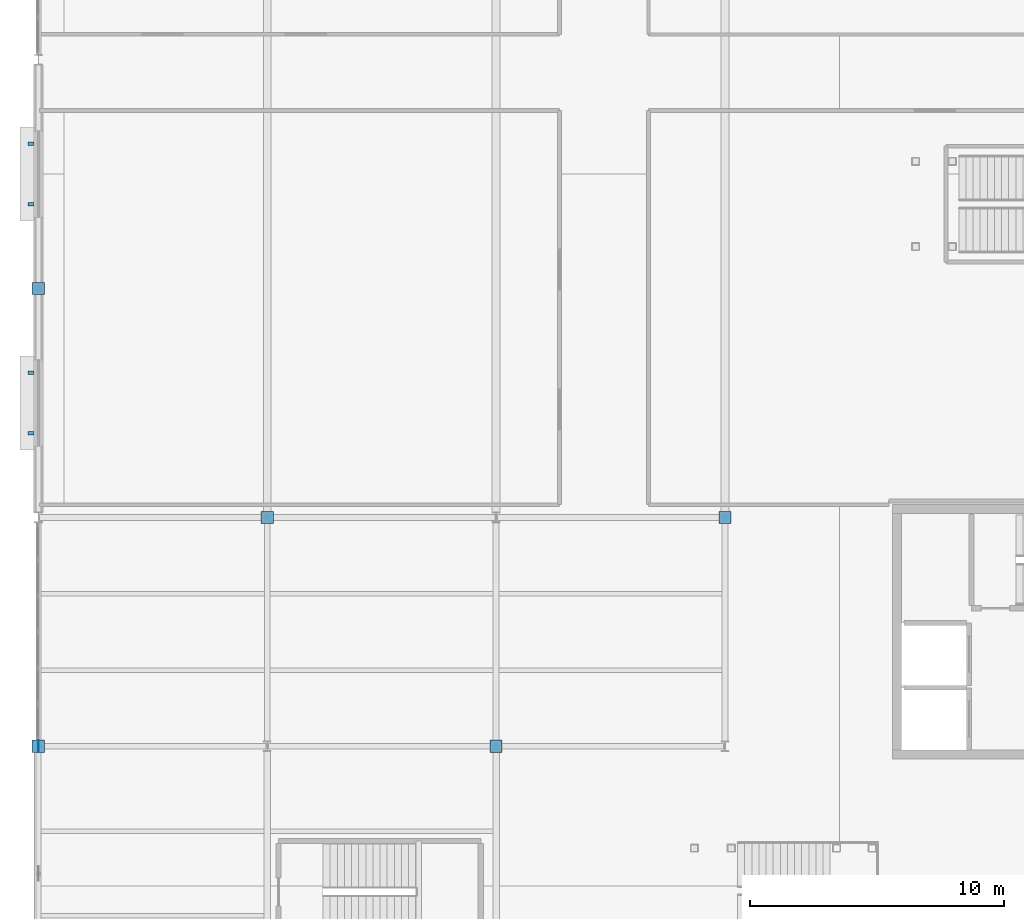
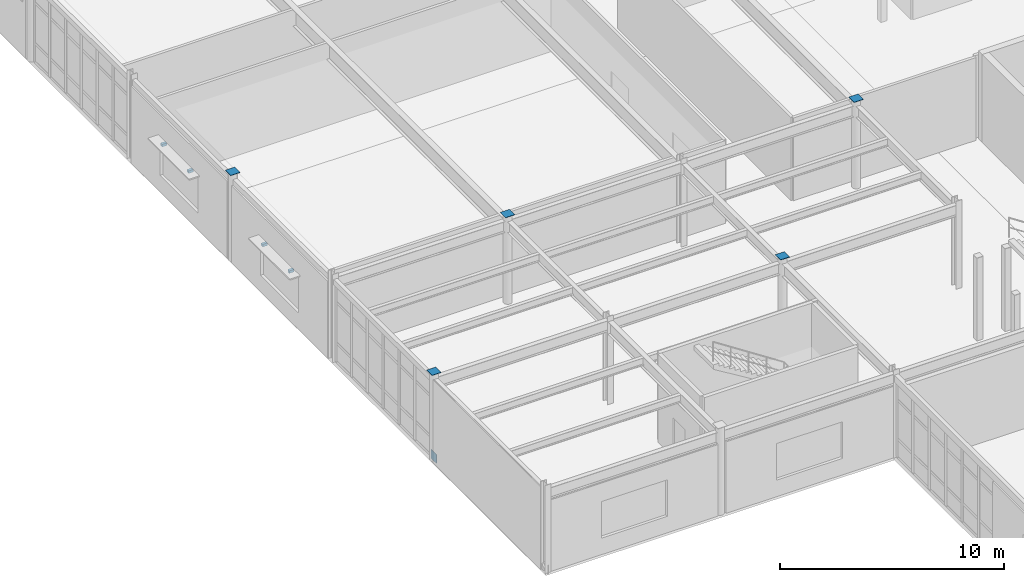
# One storey, part 72 of 84: 10 discrete accessories.
"""IFC4 building model written with IfcOpenShell, lengths in metres."""

from ifc_helpers import new_model, si_unit, direction, frame, origin, origin_2d, place, context, subcontext, project, spatial, rectangle, extrude, material, type_object, element, save


model = new_model("IFC4")

# Units and contexts
model_context = context("Model", 3, precision=1e-05, world=origin(), true_north=direction((0.0, 1.0)))
body_context = subcontext(model_context, "Body", "Model", "MODEL_VIEW")
ifc_project = project(units=[si_unit("LENGTHUNIT", "METRE"), si_unit("AREAUNIT", "SQUARE_METRE"), si_unit("VOLUMEUNIT", "CUBIC_METRE"), si_unit("PLANEANGLEUNIT", "RADIAN"), si_unit("MASSUNIT", "GRAM", prefix="KILO")], contexts=[model_context])

# Site, building, storey
site_placement = place(None, origin())
site = spatial("IfcSite", under=ifc_project, at=site_placement, CompositionType="ELEMENT")
building_placement = place(site_placement, origin())
building = spatial("IfcBuilding", under=site, at=building_placement, Name="Glasvene Arena", CompositionType="ELEMENT")
storey_placement = place(building_placement, frame((0.0, 0.0, 10.199951171875)))
storey = spatial("IfcBuildingStorey", under=building, at=storey_placement, Name="L02", CompositionType="ELEMENT", Elevation=10.199951171875)

# Discrete accessories
ifc_material_1 = material(Name="Steel S355J2", Category="steel")
discrete_accessory_type_1 = type_object("IfcDiscreteAccessoryType", Name="ACC-BRACE-GP20", PredefinedType="BRACKET", material=ifc_material_1)
discrete_accessory_placement = place(storey_placement, frame((0.0, 64.0, -0.06982421875), z_axis=(0.0, 0.0, 1.0), x_axis=(1.0, 0.0, 0.0)))
element("IfcDiscreteAccessory", 1, at=discrete_accessory_placement, inside=storey, type_object=discrete_accessory_type_1, Name="Chevron brace base gusset plate L02-014-B", PredefinedType="BRACKET", context=body_context, shape_type="SweptSolid", body=[
    extrude(rectangle(XDim=0.02001953125, YDim=0.47998046875, at=origin_2d()), origin(), (0.0, 0.0, 1.0), 0.47998046875),
])
discrete_accessory_type_2 = type_object("IfcDiscreteAccessoryType", Name="ACC-CAP-CHS420", PredefinedType="USERDEFINED", material=ifc_material_1)
for number, where, z_axis, x_axis, name in (
    (2, (0.0, 64.0, 4.798095703125), (0.0, 0.0, 1.0), (1.0, 0.0, 0.0), "Hollow column top cap plate 1-8 L02"),
    (3, (0.0, 82.0, 4.798095703125), (0.0, 0.0, 1.0), (1.0, 0.0, 0.0), "Hollow column top cap plate 1-10 L02"),
    (4, (9.0, 73.0, 4.798095703125), (0.0, 0.0, 1.0), (1.0, 0.0, 0.0), "Hollow column top cap plate 2-9 L02"),
    (5, (18.0, 64.0, 4.798095703125), (0.0, 0.0, 1.0), (1.0, 0.0, 0.0), "Hollow column top cap plate 3-8 L02"),
    (6, (27.0, 73.0, 4.798095703125), (0.0, 0.0, 1.0), (1.0, 0.0, 0.0), "Hollow column top cap plate 4-9 L02"),
):
    element("IfcDiscreteAccessory", number, at=place(storey_placement, frame(where, z_axis=z_axis, x_axis=x_axis)), inside=storey, type_object=discrete_accessory_type_2, Name=name, ObjectType="CAP PLATE", PredefinedType="USERDEFINED", context=body_context, shape_type="SweptSolid", body=[
        extrude(rectangle(XDim=0.47998046875, YDim=0.47998046875, at=origin_2d()), origin(), (0.0, 0.0, 1.0), 0.02001953125),
    ])
ifc_material_2 = material(Name="Warm bronze architectural aluminium", Category="aluminium")
discrete_accessory_type_3 = type_object("IfcDiscreteAccessoryType", Name="ACC-FIN-BRK", PredefinedType="BRACKET", material=ifc_material_2)
for number, where, z_axis, x_axis, name in (
    (7, (-0.280029296875, 76.308349609375, 2.8701171875), (0.0, 0.0, 1.0), (0.0, 1.0, 0.0), "Brise-soleil wall bracket BK-044"),
    (8, (-0.280029296875, 78.6884765625, 2.8701171875), (0.0, 0.0, 1.0), (0.0, 1.0, 0.0), "Brise-soleil wall bracket BK-044"),
    (9, (-0.280029296875, 85.3115234375, 2.8701171875), (0.0, 0.0, 1.0), (0.0, 1.0, 0.0), "Brise-soleil wall bracket BK-045"),
    (10, (-0.280029296875, 87.691650390625, 2.8701171875), (0.0, 0.0, 1.0), (0.0, 1.0, 0.0), "Brise-soleil wall bracket BK-045"),
):
    element("IfcDiscreteAccessory", number, at=place(storey_placement, frame(where, z_axis=z_axis, x_axis=x_axis)), inside=storey, type_object=discrete_accessory_type_3, Name=name, PredefinedType="BRACKET", context=body_context, shape_type="SweptSolid", body=[
        extrude(rectangle(XDim=0.139892578125, YDim=0.239990234375, at=origin_2d()), origin(), (0.0, 0.0, 1.0), 0.139892578125),
    ])

save(model, "model.ifc")
